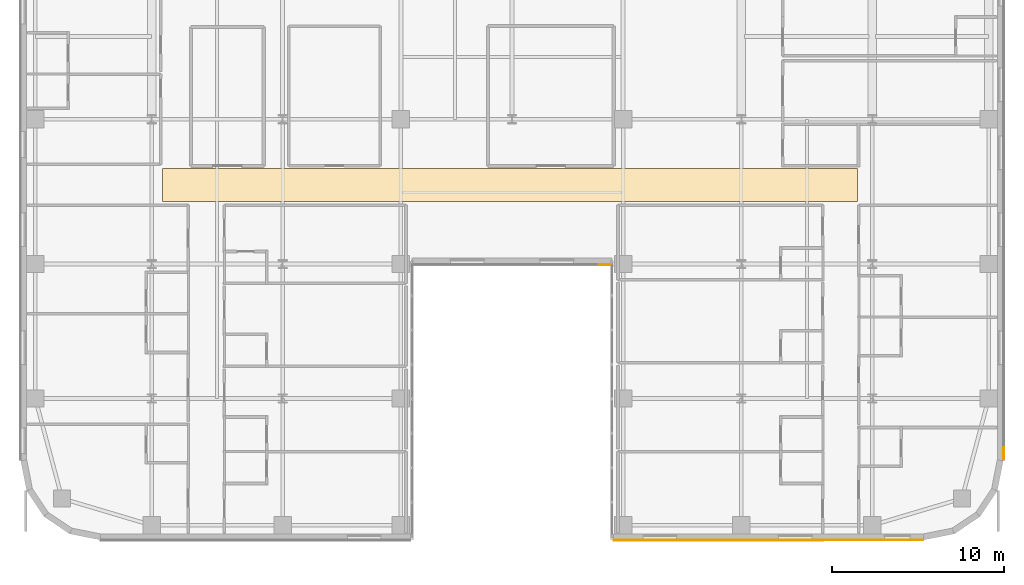
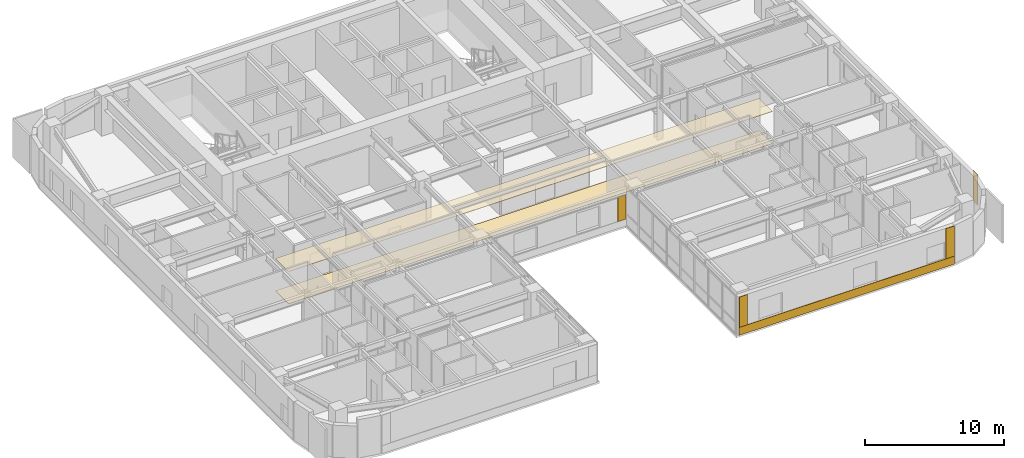
# One storey, part 21 of 25: 7 coverings.
"""IFC4 building model written with IfcOpenShell, lengths in metres."""

from ifc_helpers import new_model, si_unit, direction, frame, origin, place, context, subcontext, project, spatial, polyline, outline, extrude, material, layer, layer_set, type_object, element, save


model = new_model("IFC4")

# Units and contexts
model_context = context("Model", 3, precision=1e-05, world=origin(), true_north=direction((0.0, 1.0)))
body_context = subcontext(model_context, "Body", "Model", "MODEL_VIEW")
ifc_project = project(units=[si_unit("LENGTHUNIT", "METRE"), si_unit("AREAUNIT", "SQUARE_METRE"), si_unit("VOLUMEUNIT", "CUBIC_METRE"), si_unit("PLANEANGLEUNIT", "RADIAN"), si_unit("MASSUNIT", "GRAM", prefix="KILO")], contexts=[model_context])

# Site, building, storey
site_placement = place(None, origin())
site = spatial("IfcSite", under=ifc_project, at=site_placement, CompositionType="ELEMENT")
building_placement = place(site_placement, origin())
building = spatial("IfcBuilding", under=site, at=building_placement, Name="Tolvann Quenvar Hotel", CompositionType="ELEMENT")
storey_placement = place(building_placement, frame((0.0, 0.0, 46.199951171875)))
storey = spatial("IfcBuildingStorey", under=building, at=storey_placement, Name="L10", CompositionType="ELEMENT", Elevation=46.199951171875)

# Coverings
ifc_material_1 = material(Name="Micro-perforated acoustic mineral-fibre and timber-batten suspended ceiling", Category="wood")
ifc_layer_1 = layer(ifc_material_1, 0.0400390625)
ifc_layer_set_1 = layer_set([ifc_layer_1], Name="Micro-perforated acoustic mineral-fibre and timber-batten suspended ceiling")
covering_type_1 = type_object("IfcCoveringType", Name="COV_CEIL_ACOUSTIC_40", PredefinedType="CEILING", material=ifc_layer_set_1)
covering_1_placement = place(storey_placement, frame((0.0, 0.0, 2.830078125)))
element("IfcCovering", 1, at=covering_1_placement, inside=storey, type_object=covering_type_1, Name="Suspended Acoustic Ceiling (Hotel Guest Corridor L10)", PredefinedType="CEILING", context=body_context, shape_type="SweptSolid", body=[
    extrude(outline(polyline([(8.219970703125, 19.6201171875), (48.530029296875, 19.6201171875), (48.530029296875, 21.530029296875), (8.219970703125, 21.530029296875), (8.219970703125, 19.6201171875)])), origin(), (0.0, 0.0, 1.0), 0.0400390625),
])
ifc_material_2 = material(Name="Kiln-fired red architectural face brick cladding", Category="masonry")
ifc_layer_2 = layer(ifc_material_2, 0.0400390625)
ifc_layer_set_2 = layer_set([ifc_layer_2], Name="Kiln-fired red architectural face brick cladding")
covering_type_2 = type_object("IfcCoveringType", Name="COV_CLAD_BRICK_40", PredefinedType="CLADDING", material=ifc_layer_set_2)
covering_2_placement = place(storey_placement, frame((0.0, 0.0, 0.604736328125)))
element("IfcCovering", 2, at=covering_2_placement, inside=storey, type_object=covering_type_2, Name="Brick Pier Cladding (L10-E06-P2)", PredefinedType="CLADDING", context=body_context, shape_type="SweptSolid", body=[
    extrude(outline(polyline([(33.5400390625, 16.0), (34.239990234375, 16.0), (34.239990234375, 15.9599609375), (33.5400390625, 15.9599609375), (33.5400390625, 16.0)])), origin(), (0.0, 0.0, 1.0), 2.143310546875),
])
covering_3_placement = place(storey_placement, frame((0.0, 0.0, 0.699951171875)))
element("IfcCovering", 3, at=covering_3_placement, inside=storey, type_object=covering_type_2, Name="Brick Pier Cladding (L10-E08-P1)", PredefinedType="CLADDING", context=body_context, shape_type="SweptSolid", body=[
    extrude(outline(polyline([(34.425048828125, 0.0), (35.125, 0.0), (35.125, -0.0400390625), (34.425048828125, -0.0400390625), (34.425048828125, 0.0)])), origin(), (0.0, 0.0, 1.0), 2.670166015625),
])
covering_4_placement = place(storey_placement, frame((0.0, 0.0, 0.699951171875)))
element("IfcCovering", 4, at=covering_4_placement, inside=storey, type_object=covering_type_2, Name="Brick Pier Cladding (L10-E08-P2)", PredefinedType="CLADDING", context=body_context, shape_type="SweptSolid", body=[
    extrude(outline(polyline([(51.6328125, 0.0), (52.332763671875, 0.0), (52.332763671875, -0.0400390625), (51.6328125, -0.0400390625), (51.6328125, 0.0)])), origin(), (0.0, 0.0, 1.0), 2.670166015625),
])
covering_5_placement = place(storey_placement, frame((0.0, 0.0, 0.699951171875)))
element("IfcCovering", 5, at=covering_5_placement, inside=storey, type_object=covering_type_2, Name="Brick Pier Cladding (L10-E13-P1)", PredefinedType="CLADDING", context=body_context, shape_type="SweptSolid", body=[
    extrude(outline(polyline([(57.0, 4.667236328125), (57.0, 5.3671875), (57.0400390625, 5.3671875), (57.0400390625, 4.667236328125), (57.0, 4.667236328125)])), origin(), (0.0, 0.0, 1.0), 2.670166015625),
])
ifc_material_3 = material(Name="Moulded buff architectural terracotta spandrel cladding", Category="masonry")
ifc_layer_3 = layer(ifc_material_3, 0.0400390625)
ifc_layer_set_3 = layer_set([ifc_layer_3], Name="Moulded buff architectural terracotta spandrel cladding")
covering_type_3 = type_object("IfcCoveringType", Name="COV_CLAD_TERRA_40", PredefinedType="CLADDING", material=ifc_layer_set_3)
covering_6_placement = place(storey_placement, origin())
element("IfcCovering", 6, at=covering_6_placement, inside=storey, type_object=covering_type_3, Name="Terracotta Spandrel Cladding (L10-E08)", PredefinedType="CLADDING", context=body_context, shape_type="SweptSolid", body=[
    extrude(outline(polyline([(34.4150390625, 0.0), (52.3427734375, 0.0), (52.3427734375, -0.0400390625), (34.4150390625, -0.0400390625), (34.4150390625, 0.0)])), origin(), (0.0, 0.0, 1.0), 0.699951171875),
])
ifc_material_4 = material(Name="Honed Australian bluestone, terrazzo and engineered oak flooring", Category="masonry")
ifc_layer_4 = layer(ifc_material_4, 0.02001953125)
ifc_layer_set_4 = layer_set([ifc_layer_4], Name="Honed Australian bluestone, terrazzo and engineered oak flooring")
covering_type_4 = type_object("IfcCoveringType", Name="COV_FLOOR_STONE_20", PredefinedType="FLOORING", material=ifc_layer_set_4)
covering_7_placement = place(storey_placement, origin())
element("IfcCovering", 7, at=covering_7_placement, inside=storey, type_object=covering_type_4, Name="Architectural Floor Finish (Hotel Guest Corridor L10)", PredefinedType="FLOORING", context=body_context, shape_type="SweptSolid", body=[
    extrude(outline(polyline([(8.219970703125, 19.6201171875), (48.530029296875, 19.6201171875), (48.530029296875, 21.530029296875), (8.219970703125, 21.530029296875), (8.219970703125, 19.6201171875)])), origin(), (0.0, 0.0, 1.0), 0.02001953125),
])

save(model, "model.ifc")
